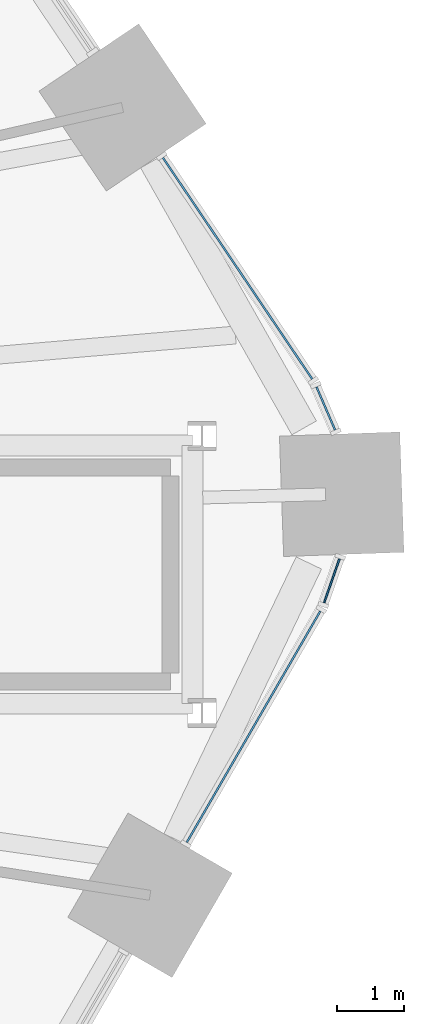
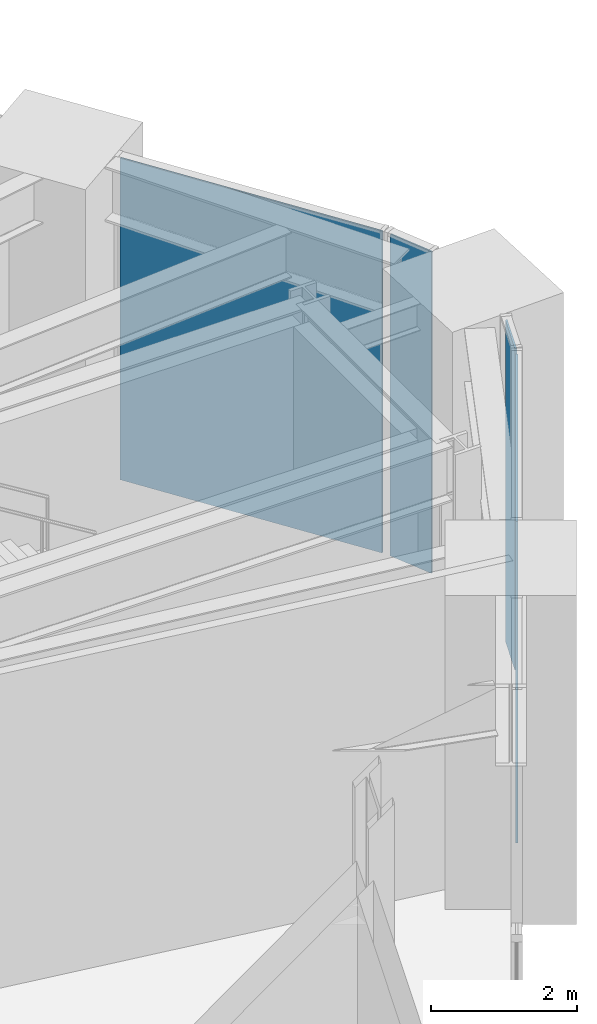
# One storey, part 20 of 30: 4 plates, 4 elements without a shape of their own.
"""IFC4 building model written with IfcOpenShell, lengths in metres."""

from ifc_helpers import new_model, si_unit, direction, frame, origin, origin_2d, place, context, subcontext, project, spatial, rectangle, extrude, material, layer, layer_set, type_object, element, aggregate, save


model = new_model("IFC4")

# Units and contexts
model_context = context("Model", 3, precision=1e-05, world=origin(), true_north=direction((0.0, 1.0)))
body_context = subcontext(model_context, "Body", "Model", "MODEL_VIEW")
ifc_project = project(units=[si_unit("LENGTHUNIT", "METRE"), si_unit("AREAUNIT", "SQUARE_METRE"), si_unit("VOLUMEUNIT", "CUBIC_METRE"), si_unit("PLANEANGLEUNIT", "RADIAN"), si_unit("MASSUNIT", "GRAM", prefix="KILO")], contexts=[model_context])

# Site, building, storey
site_placement = place(None, origin())
site = spatial("IfcSite", under=ifc_project, at=site_placement, CompositionType="ELEMENT")
building_placement = place(site_placement, origin())
building = spatial("IfcBuilding", under=site, at=building_placement, Name="Tarnside Tower", CompositionType="ELEMENT")
storey_placement = place(building_placement, frame((0.0, 0.0, 15.0)))
storey = spatial("IfcBuildingStorey", under=building, at=storey_placement, Name="L02", CompositionType="ELEMENT", Elevation=15.0)

# Curtain wall, plate
ifc_material_1 = material(Name="Retail shopfront glazing wall", Category="glass")
curtain_wall_type = type_object("IfcCurtainWallType", Name="Retail shopfront glazing wall", PredefinedType="NOTDEFINED", material=ifc_material_1)
curtain_wall_1_placement = place(storey_placement, origin())
curtain_wall_1 = element("IfcCurtainWall", 1, at=curtain_wall_1_placement, inside=storey, type_object=curtain_wall_type, Name="Retail shopfront glazing L02 18.0", PredefinedType="NOTDEFINED")
ifc_material_2 = material(Name="Low-iron safety glass", Category="glass")
ifc_layer = layer(ifc_material_2, 0.028076171875)
ifc_layer_set = layer_set([ifc_layer], Name="Retail shopfront glazing panel 28")
plate_type = type_object("IfcPlateType", Name="Retail shopfront glazing panel 28", PredefinedType="CURTAIN_PANEL", material=ifc_layer_set)
plate_1_placement = place(storey_placement, frame((32.365966796875, -2.300537109375, -0.18994140625), z_axis=(0.0, 0.0, 1.0), x_axis=(0.499999999849, 0.866025403872, 0.0)))
plate_1 = element("IfcPlate", 2, at=plate_1_placement, type_object=plate_type, Name="CW2 panel 1.1", PredefinedType="CURTAIN_PANEL", context=body_context, shape_type="SweptSolid", body=[
    extrude(rectangle(XDim=3.991943359375, YDim=0.028076171875, at=origin_2d()), origin(), (0.0, 0.0, 1.0), 5.3798828125),
])
aggregate(curtain_wall_1, [plate_1])

curtain_wall_2_placement = place(storey_placement, origin())
curtain_wall_2 = element("IfcCurtainWall", 3, at=curtain_wall_2_placement, inside=storey, type_object=curtain_wall_type, Name="Retail shopfront glazing L02 18.1", PredefinedType="NOTDEFINED")
plate_2_placement = place(storey_placement, frame((33.5361328125, -0.118896484375, -0.18994140625), z_axis=(0.0, 0.0, 1.0), x_axis=(0.331063417649, 0.943608506476, 0.0)))
plate_2 = element("IfcPlate", 4, at=plate_2_placement, type_object=plate_type, Name="CW2 panel 1.1", PredefinedType="CURTAIN_PANEL", context=body_context, shape_type="SweptSolid", body=[
    extrude(rectangle(XDim=0.701416015625, YDim=0.028076171875, at=origin_2d()), origin(), (0.0, 0.0, 1.0), 5.3798828125),
])
aggregate(curtain_wall_2, [plate_2])

curtain_wall_3_placement = place(storey_placement, origin())
curtain_wall_3 = element("IfcCurtainWall", 5, at=curtain_wall_3_placement, inside=storey, type_object=curtain_wall_type, Name="Retail shopfront glazing L02 19.0", PredefinedType="NOTDEFINED")
plate_3_placement = place(storey_placement, frame((33.446044921875, 2.4580078125, -0.18994140625), z_axis=(0.0, 0.0, 1.0), x_axis=(-0.396079765761, 0.918216107, 0.0)))
plate_3 = element("IfcPlate", 6, at=plate_3_placement, type_object=plate_type, Name="CW2 panel 1.1", PredefinedType="CURTAIN_PANEL", context=body_context, shape_type="SweptSolid", body=[
    extrude(rectangle(XDim=0.701416015625, YDim=0.028076171875, at=origin_2d()), origin(), (0.0, 0.0, 1.0), 5.3798828125),
])
aggregate(curtain_wall_3, [plate_3])

curtain_wall_4_placement = place(storey_placement, origin())
curtain_wall_4 = element("IfcCurtainWall", 7, at=curtain_wall_4_placement, inside=storey, type_object=curtain_wall_type, Name="Retail shopfront glazing L02 19.1", PredefinedType="NOTDEFINED")
plate_4_placement = place(storey_placement, frame((32.126708984375, 4.552734375, -0.18994140625), z_axis=(0.0, 0.0, 1.0), x_axis=(-0.559192903572, 0.829037572487, 0.0)))
plate_4 = element("IfcPlate", 8, at=plate_4_placement, type_object=plate_type, Name="CW2 panel 1.1", PredefinedType="CURTAIN_PANEL", context=body_context, shape_type="SweptSolid", body=[
    extrude(rectangle(XDim=3.991943359375, YDim=0.028076171875, at=origin_2d()), origin(), (0.0, 0.0, 1.0), 5.3798828125),
])
aggregate(curtain_wall_4, [plate_4])

save(model, "model.ifc")
